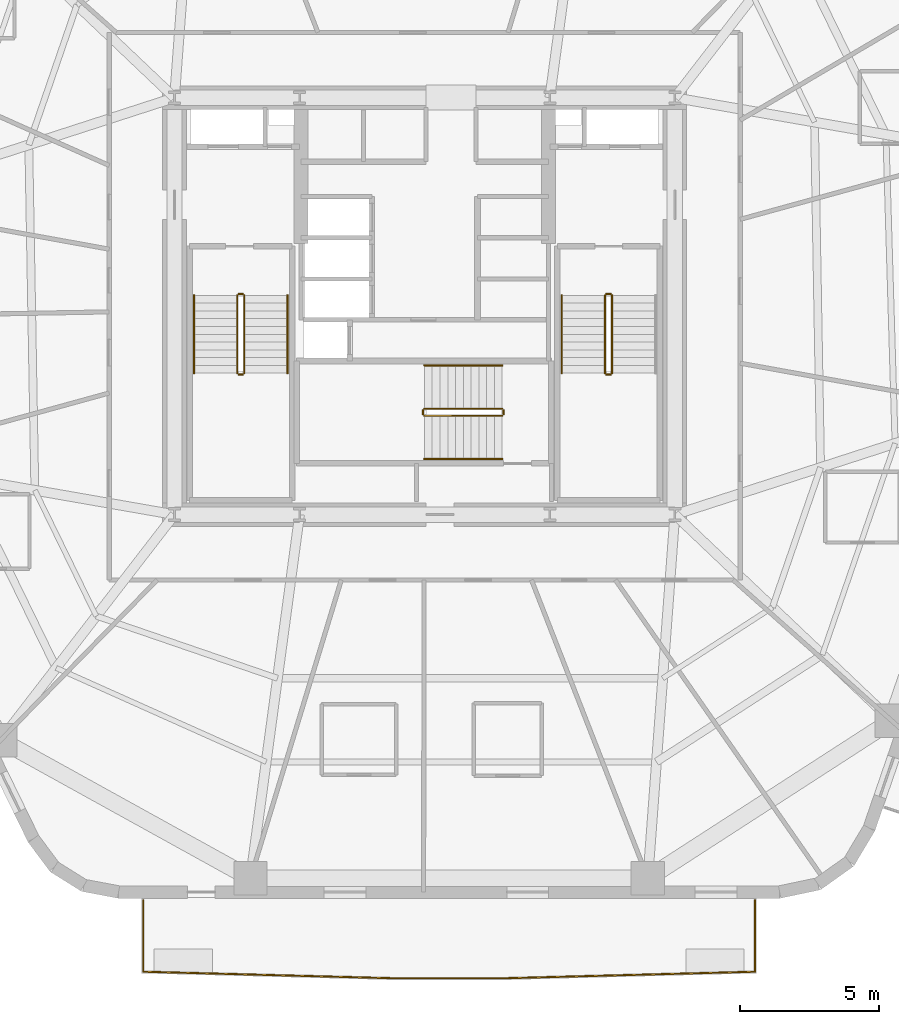
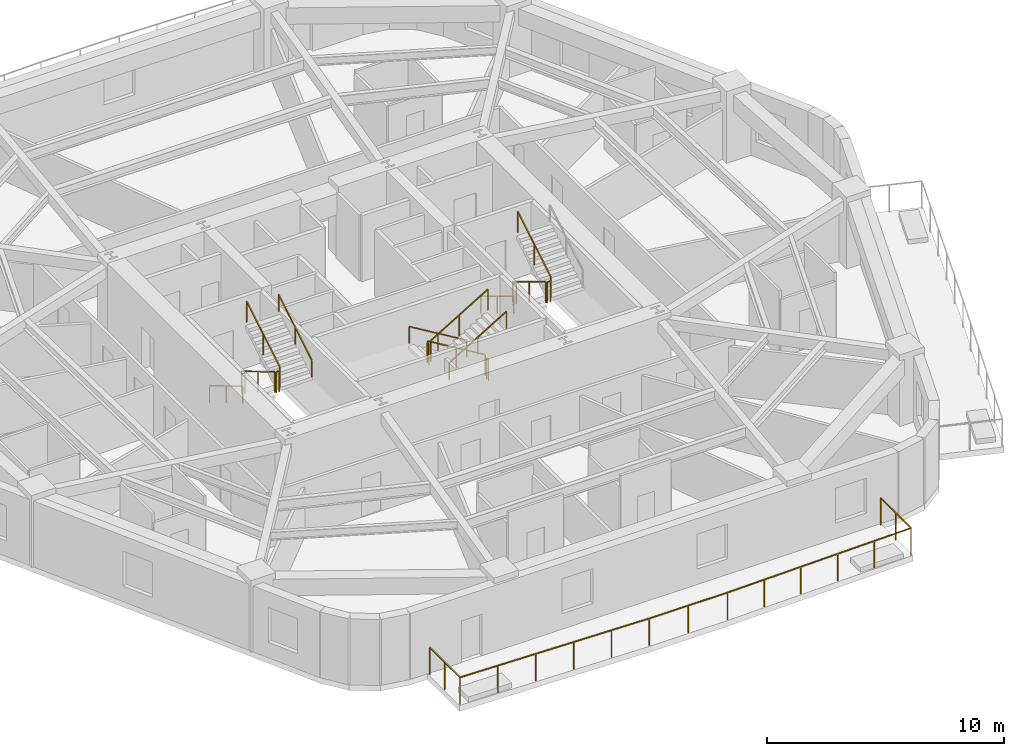
# One storey, part 7 of 8: 18 railings.
"""IFC4 building model written with IfcOpenShell, lengths in metres."""

from ifc_helpers import new_model, si_unit, direction, frame, origin, origin_2d, place, context, subcontext, project, spatial, rectangle, extrude, material, layer, layer_set, type_object, element, save


model = new_model("IFC4")

# Units and contexts
model_context = context("Model", 3, precision=1e-05, world=origin(), true_north=direction((0.0, 1.0)))
body_context = subcontext(model_context, "Body", "Model", "MODEL_VIEW")
ifc_project = project(units=[si_unit("LENGTHUNIT", "METRE"), si_unit("AREAUNIT", "SQUARE_METRE"), si_unit("VOLUMEUNIT", "CUBIC_METRE"), si_unit("PLANEANGLEUNIT", "RADIAN"), si_unit("MASSUNIT", "GRAM", prefix="KILO")], contexts=[model_context])

# Site, building, storey
site_placement = place(None, origin())
site = spatial("IfcSite", under=ifc_project, at=site_placement, CompositionType="ELEMENT")
building_placement = place(site_placement, origin())
building = spatial("IfcBuilding", under=site, at=building_placement, Name="Kilnhurst Terrace Hotel", CompositionType="ELEMENT")
storey_placement = place(building_placement, frame((0.0, 0.0, 106.199951171875)))
storey = spatial("IfcBuildingStorey", under=building, at=storey_placement, Name="L25", CompositionType="ELEMENT", Elevation=106.199951171875)

# Railings
ifc_material_1 = material(Name="Laminated SentryGlas and Stainless Steel AISI 316L Balustrade", Category="steel")
ifc_layer_1 = layer(ifc_material_1, 0.070068359375, Name="Laminated SentryGlas and Stainless Steel AISI 316L Balustrade")
ifc_layer_set_1 = layer_set([ifc_layer_1], Name="Laminated SentryGlas and Stainless Steel AISI 316L Balustrade")
railing_type_1 = type_object("IfcRailingType", Name="RLG-BAL-1420", PredefinedType="BALUSTRADE", material=ifc_layer_set_1)
railing_1_placement = place(storey_placement, frame((11.8837890625, -21.3798828125, 0.0)))
element("IfcRailing", 1, at=railing_1_placement, inside=storey, type_object=railing_type_1, Name="L25 Exterior Terrace Guardrail BAL-L1A.1", PredefinedType="BALUSTRADE", context=body_context, shape_type="SweptSolid", body=[
    extrude(rectangle(XDim=0.048095703125, YDim=0.048095703125, at=origin_2d()), frame((0.0, 0.0, 1.39599609375), z_axis=(0.0, -1.0, 0.0), x_axis=(1.0, 0.0, 0.0)), (0.0, 0.0, 1.0), 2.561767578125),
    extrude(rectangle(XDim=0.048095703125, YDim=0.048095703125, at=origin_2d()), frame((0.0, -2.561767578125, 1.39599609375), z_axis=(-0.999657105501, -0.026185328367, 0.0), x_axis=(0.026185328367, -0.999657105501, 0.0)), (0.0, 0.0, 1.0), 9.099853515625),
    extrude(rectangle(XDim=0.048095703125, YDim=0.048095703125, at=origin_2d()), frame((-9.0966796875, -2.800048828125, 1.39599609375), z_axis=(-1.0, 0.0, 0.0), x_axis=(0.0, -1.0, 0.0)), (0.0, 0.0, 1.0), 3.8134765625),
    extrude(rectangle(XDim=0.048095703125, YDim=0.048095703125, at=origin_2d()), frame((-12.91015625, -2.800048828125, 1.39599609375), z_axis=(-0.999657105501, 0.026185328367, 0.0), x_axis=(-0.026185328367, -0.999657105501, 0.0)), (0.0, 0.0, 1.0), 9.099853515625),
    extrude(rectangle(XDim=0.048095703125, YDim=0.048095703125, at=origin_2d()), frame((-22.0068359375, -2.561767578125, 1.39599609375), z_axis=(0.0, 1.0, 0.0), x_axis=(-1.0, 0.0, 0.0)), (0.0, 0.0, 1.0), 2.561767578125),
    extrude(rectangle(XDim=0.0419921875, YDim=0.0419921875, at=origin_2d()), origin(), (0.0, 0.0, 1.0), 1.371826171875),
    extrude(rectangle(XDim=0.0419921875, YDim=0.0419921875, at=origin_2d()), frame((0.0, -1.28076171875, 0.0)), (0.0, 0.0, 1.0), 1.371826171875),
    extrude(rectangle(XDim=0.0419921875, YDim=0.0419921875, at=origin_2d()), frame((0.0, -2.561767578125, 0.0)), (0.0, 0.0, 1.0), 1.371826171875),
    extrude(rectangle(XDim=0.0419921875, YDim=0.0419921875, at=origin_2d()), frame((-1.8193359375, -2.609375, 0.0)), (0.0, 0.0, 1.0), 1.371826171875),
    extrude(rectangle(XDim=0.0419921875, YDim=0.0419921875, at=origin_2d()), frame((-3.638671875, -2.656982421875, 0.0)), (0.0, 0.0, 1.0), 1.371826171875),
    extrude(rectangle(XDim=0.0419921875, YDim=0.0419921875, at=origin_2d()), frame((-5.4580078125, -2.704833984375, 0.0)), (0.0, 0.0, 1.0), 1.371826171875),
    extrude(rectangle(XDim=0.0419921875, YDim=0.0419921875, at=origin_2d()), frame((-7.27734375, -2.75244140625, 0.0)), (0.0, 0.0, 1.0), 1.371826171875),
    extrude(rectangle(XDim=0.0419921875, YDim=0.0419921875, at=origin_2d()), frame((-9.0966796875, -2.800048828125, 0.0)), (0.0, 0.0, 1.0), 1.371826171875),
    extrude(rectangle(XDim=0.0419921875, YDim=0.0419921875, at=origin_2d()), frame((-11.00341796875, -2.800048828125, 0.0)), (0.0, 0.0, 1.0), 1.371826171875),
    extrude(rectangle(XDim=0.0419921875, YDim=0.0419921875, at=origin_2d()), frame((-12.91015625, -2.800048828125, 0.0)), (0.0, 0.0, 1.0), 1.371826171875),
    extrude(rectangle(XDim=0.0419921875, YDim=0.0419921875, at=origin_2d()), frame((-14.7294921875, -2.75244140625, 0.0)), (0.0, 0.0, 1.0), 1.371826171875),
    extrude(rectangle(XDim=0.0419921875, YDim=0.0419921875, at=origin_2d()), frame((-16.548828125, -2.704833984375, 0.0)), (0.0, 0.0, 1.0), 1.371826171875),
    extrude(rectangle(XDim=0.0419921875, YDim=0.0419921875, at=origin_2d()), frame((-18.3681640625, -2.656982421875, 0.0)), (0.0, 0.0, 1.0), 1.371826171875),
    extrude(rectangle(XDim=0.0419921875, YDim=0.0419921875, at=origin_2d()), frame((-20.1875, -2.609375, 0.0)), (0.0, 0.0, 1.0), 1.371826171875),
    extrude(rectangle(XDim=0.0419921875, YDim=0.0419921875, at=origin_2d()), frame((-22.0068359375, -2.561767578125, 0.0)), (0.0, 0.0, 1.0), 1.371826171875),
    extrude(rectangle(XDim=0.0419921875, YDim=0.0419921875, at=origin_2d()), frame((-22.0068359375, -1.28076171875, 0.0)), (0.0, 0.0, 1.0), 1.371826171875),
    extrude(rectangle(XDim=0.0419921875, YDim=0.0419921875, at=origin_2d()), frame((-22.0068359375, 0.0, 0.0)), (0.0, 0.0, 1.0), 1.371826171875),
])
ifc_material_2 = material(Name="Powder-Coated Steel ASTM A500 Grade B", Category="steel")
ifc_layer_2 = layer(ifc_material_2, 0.050048828125, Name="Powder-Coated Steel ASTM A500 Grade B")
ifc_layer_set_2 = layer_set([ifc_layer_2], Name="Powder-Coated Steel ASTM A500 Grade B")
railing_type_2 = type_object("IfcRailingType", Name="RLG-ST-GRD-1100", PredefinedType="GUARDRAIL", material=ifc_layer_set_2)
railing_2_placement = place(storey_placement, frame((-6.739990234375, 0.389892578125, 0.168212890625)))
element("IfcRailing", 2, at=railing_2_placement, inside=storey, type_object=railing_type_2, Name="L25 ST-1 stair guard 1", PredefinedType="GUARDRAIL", context=body_context, shape_type="SweptSolid", body=[
    extrude(rectangle(XDim=0.048095703125, YDim=0.048095703125, at=origin_2d()), frame((0.0, 0.0, 1.076171875), z_axis=(0.0, -0.857222391501, 0.514946377315), x_axis=(1.0, 0.0, 0.0)), (0.0, 0.0, 1.0), 3.26611328125),
    extrude(rectangle(XDim=0.0419921875, YDim=0.0419921875, at=origin_2d()), origin(), (0.0, 0.0, 1.0), 1.052001953125),
    extrude(rectangle(XDim=0.0419921875, YDim=0.0419921875, at=origin_2d()), frame((0.0, -1.39990234375, 0.8408203125)), (0.0, 0.0, 1.0), 1.052001953125),
    extrude(rectangle(XDim=0.0419921875, YDim=0.0419921875, at=origin_2d()), frame((0.0, -2.7998046875, 1.681884765625)), (0.0, 0.0, 1.0), 1.052001953125),
])
railing_3_placement = place(storey_placement, frame((-6.68994140625, -2.4599609375, 1.85009765625)))
element("IfcRailing", 3, at=railing_3_placement, inside=storey, type_object=railing_type_2, Name="L25 ST-1 stair guard 2", PredefinedType="GUARDRAIL", context=body_context, shape_type="SweptSolid", body=[
    extrude(rectangle(XDim=0.048095703125, YDim=0.048095703125, at=origin_2d()), frame((0.0, 0.0, 1.076171875), z_axis=(1.0, 0.0, 0.0), x_axis=(0.0, 1.0, 0.0)), (0.0, 0.0, 1.0), 0.14990234375),
    extrude(rectangle(XDim=0.0419921875, YDim=0.0419921875, at=origin_2d()), origin(), (0.0, 0.0, 1.0), 1.052001953125),
    extrude(rectangle(XDim=0.0419921875, YDim=0.0419921875, at=origin_2d()), frame((0.14990234375, 0.0, 0.0)), (0.0, 0.0, 1.0), 1.052001953125),
])
railing_4_placement = place(storey_placement, frame((-6.489990234375, -2.409912109375, 2.018310546875)))
element("IfcRailing", 4, at=railing_4_placement, inside=storey, type_object=railing_type_2, Name="L25 ST-1 stair guard 3", PredefinedType="GUARDRAIL", context=body_context, shape_type="SweptSolid", body=[
    extrude(rectangle(XDim=0.048095703125, YDim=0.048095703125, at=origin_2d()), frame((0.0, 0.0, 1.076171875), z_axis=(0.0, 0.857255387014, 0.514891446264), x_axis=(-1.0, 0.0, 0.0)), (0.0, 0.0, 1.0), 3.26611328125),
    extrude(rectangle(XDim=0.0419921875, YDim=0.0419921875, at=origin_2d()), origin(), (0.0, 0.0, 1.0), 1.052001953125),
    extrude(rectangle(XDim=0.0419921875, YDim=0.0419921875, at=origin_2d()), frame((0.0, 1.39990234375, 0.8408203125)), (0.0, 0.0, 1.0), 1.052001953125),
    extrude(rectangle(XDim=0.0419921875, YDim=0.0419921875, at=origin_2d()), frame((0.0, 2.7998046875, 1.681640625)), (0.0, 0.0, 1.0), 1.052001953125),
])
railing_5_placement = place(storey_placement, frame((-6.68994140625, 0.43994140625, 0.0)))
element("IfcRailing", 5, at=railing_5_placement, inside=storey, type_object=railing_type_2, Name="L25 ST-1 stair guard 4", PredefinedType="GUARDRAIL", context=body_context, shape_type="SweptSolid", body=[
    extrude(rectangle(XDim=0.048095703125, YDim=0.048095703125, at=origin_2d()), frame((0.0, 0.0, 1.076171875), z_axis=(1.0, 0.0, 0.0), x_axis=(0.0, 1.0, 0.0)), (0.0, 0.0, 1.0), 0.14990234375),
    extrude(rectangle(XDim=0.0419921875, YDim=0.0419921875, at=origin_2d()), origin(), (0.0, 0.0, 1.0), 1.052001953125),
    extrude(rectangle(XDim=0.0419921875, YDim=0.0419921875, at=origin_2d()), frame((0.14990234375, 0.0, 0.0)), (0.0, 0.0, 1.0), 1.052001953125),
])
railing_6_placement = place(storey_placement, frame((6.489990234375, 0.389892578125, 0.168212890625)))
element("IfcRailing", 6, at=railing_6_placement, inside=storey, type_object=railing_type_2, Name="L25 ST-2 stair guard 1", PredefinedType="GUARDRAIL", context=body_context, shape_type="SweptSolid", body=[
    extrude(rectangle(XDim=0.048095703125, YDim=0.048095703125, at=origin_2d()), frame((0.0, 0.0, 1.076171875), z_axis=(0.0, -0.857222391501, 0.514946377315), x_axis=(1.0, 0.0, 0.0)), (0.0, 0.0, 1.0), 3.26611328125),
    extrude(rectangle(XDim=0.0419921875, YDim=0.0419921875, at=origin_2d()), origin(), (0.0, 0.0, 1.0), 1.052001953125),
    extrude(rectangle(XDim=0.0419921875, YDim=0.0419921875, at=origin_2d()), frame((0.0, -1.39990234375, 0.8408203125)), (0.0, 0.0, 1.0), 1.052001953125),
    extrude(rectangle(XDim=0.0419921875, YDim=0.0419921875, at=origin_2d()), frame((0.0, -2.7998046875, 1.681884765625)), (0.0, 0.0, 1.0), 1.052001953125),
])
railing_7_placement = place(storey_placement, frame((6.5400390625, -2.4599609375, 1.85009765625)))
element("IfcRailing", 7, at=railing_7_placement, inside=storey, type_object=railing_type_2, Name="L25 ST-2 stair guard 2", PredefinedType="GUARDRAIL", context=body_context, shape_type="SweptSolid", body=[
    extrude(rectangle(XDim=0.048095703125, YDim=0.048095703125, at=origin_2d()), frame((0.0, 0.0, 1.076171875), z_axis=(1.0, 0.0, 0.0), x_axis=(0.0, 1.0, 0.0)), (0.0, 0.0, 1.0), 0.14990234375),
    extrude(rectangle(XDim=0.0419921875, YDim=0.0419921875, at=origin_2d()), origin(), (0.0, 0.0, 1.0), 1.052001953125),
    extrude(rectangle(XDim=0.0419921875, YDim=0.0419921875, at=origin_2d()), frame((0.14990234375, 0.0, 0.0)), (0.0, 0.0, 1.0), 1.052001953125),
])
railing_8_placement = place(storey_placement, frame((6.739990234375, -2.409912109375, 2.018310546875)))
element("IfcRailing", 8, at=railing_8_placement, inside=storey, type_object=railing_type_2, Name="L25 ST-2 stair guard 3", PredefinedType="GUARDRAIL", context=body_context, shape_type="SweptSolid", body=[
    extrude(rectangle(XDim=0.048095703125, YDim=0.048095703125, at=origin_2d()), frame((0.0, 0.0, 1.076171875), z_axis=(0.0, 0.857255387014, 0.514891446264), x_axis=(-1.0, 0.0, 0.0)), (0.0, 0.0, 1.0), 3.26611328125),
    extrude(rectangle(XDim=0.0419921875, YDim=0.0419921875, at=origin_2d()), origin(), (0.0, 0.0, 1.0), 1.052001953125),
    extrude(rectangle(XDim=0.0419921875, YDim=0.0419921875, at=origin_2d()), frame((0.0, 1.39990234375, 0.8408203125)), (0.0, 0.0, 1.0), 1.052001953125),
    extrude(rectangle(XDim=0.0419921875, YDim=0.0419921875, at=origin_2d()), frame((0.0, 2.7998046875, 1.681640625)), (0.0, 0.0, 1.0), 1.052001953125),
])
railing_9_placement = place(storey_placement, frame((6.5400390625, 0.43994140625, 0.0)))
element("IfcRailing", 9, at=railing_9_placement, inside=storey, type_object=railing_type_2, Name="L25 ST-2 stair guard 4", PredefinedType="GUARDRAIL", context=body_context, shape_type="SweptSolid", body=[
    extrude(rectangle(XDim=0.048095703125, YDim=0.048095703125, at=origin_2d()), frame((0.0, 0.0, 1.076171875), z_axis=(1.0, 0.0, 0.0), x_axis=(0.0, 1.0, 0.0)), (0.0, 0.0, 1.0), 0.14990234375),
    extrude(rectangle(XDim=0.0419921875, YDim=0.0419921875, at=origin_2d()), origin(), (0.0, 0.0, 1.0), 1.052001953125),
    extrude(rectangle(XDim=0.0419921875, YDim=0.0419921875, at=origin_2d()), frame((0.14990234375, 0.0, 0.0)), (0.0, 0.0, 1.0), 1.052001953125),
])
railing_10_placement = place(storey_placement, frame((2.7900390625, -3.68994140625, 0.168212890625)))
element("IfcRailing", 10, at=railing_10_placement, inside=storey, type_object=railing_type_2, Name="L25 ST-3 stair guard 1", PredefinedType="GUARDRAIL", context=body_context, shape_type="SweptSolid", body=[
    extrude(rectangle(XDim=0.048095703125, YDim=0.048095703125, at=origin_2d()), frame((0.0, 0.0, 1.076171875), z_axis=(-0.857242210791, 0.0, 0.514913383045), x_axis=(0.0, -1.0, 0.0)), (0.0, 0.0, 1.0), 3.266357421875),
    extrude(rectangle(XDim=0.0419921875, YDim=0.0419921875, at=origin_2d()), origin(), (0.0, 0.0, 1.0), 1.052001953125),
    extrude(rectangle(XDim=0.0419921875, YDim=0.0419921875, at=origin_2d()), frame((-1.39990234375, 0.0, 0.8408203125)), (0.0, 0.0, 1.0), 1.052001953125),
    extrude(rectangle(XDim=0.0419921875, YDim=0.0419921875, at=origin_2d()), frame((-2.800048828125, 0.0, 1.681884765625)), (0.0, 0.0, 1.0), 1.052001953125),
])
railing_11_placement = place(storey_placement, frame((-0.06005859375, -3.739990234375, 1.85009765625)))
element("IfcRailing", 11, at=railing_11_placement, inside=storey, type_object=railing_type_2, Name="L25 ST-3 stair guard 2", PredefinedType="GUARDRAIL", context=body_context, shape_type="SweptSolid", body=[
    extrude(rectangle(XDim=0.048095703125, YDim=0.048095703125, at=origin_2d()), frame((0.0, 0.0, 1.076171875), z_axis=(0.0, -1.0, 0.0), x_axis=(1.0, 0.0, 0.0)), (0.0, 0.0, 1.0), 0.14990234375),
    extrude(rectangle(XDim=0.0419921875, YDim=0.0419921875, at=origin_2d()), origin(), (0.0, 0.0, 1.0), 1.052001953125),
    extrude(rectangle(XDim=0.0419921875, YDim=0.0419921875, at=origin_2d()), frame((0.0, -0.14990234375, 0.0)), (0.0, 0.0, 1.0), 1.052001953125),
])
railing_12_placement = place(storey_placement, frame((-0.010009765625, -3.93994140625, 2.018310546875)))
element("IfcRailing", 12, at=railing_12_placement, inside=storey, type_object=railing_type_2, Name="L25 ST-3 stair guard 3", PredefinedType="GUARDRAIL", context=body_context, shape_type="SweptSolid", body=[
    extrude(rectangle(XDim=0.048095703125, YDim=0.048095703125, at=origin_2d()), frame((0.0, 0.0, 1.076171875), z_axis=(0.857275202839, 0.0, 0.514858452973), x_axis=(0.0, 1.0, 0.0)), (0.0, 0.0, 1.0), 3.26611328125),
    extrude(rectangle(XDim=0.0419921875, YDim=0.0419921875, at=origin_2d()), origin(), (0.0, 0.0, 1.0), 1.052001953125),
    extrude(rectangle(XDim=0.0419921875, YDim=0.0419921875, at=origin_2d()), frame((1.39990234375, 0.0, 0.8408203125)), (0.0, 0.0, 1.0), 1.052001953125),
    extrude(rectangle(XDim=0.0419921875, YDim=0.0419921875, at=origin_2d()), frame((2.800048828125, 0.0, 1.681640625)), (0.0, 0.0, 1.0), 1.052001953125),
])
railing_13_placement = place(storey_placement, frame((2.840087890625, -3.739990234375, 0.0)))
element("IfcRailing", 13, at=railing_13_placement, inside=storey, type_object=railing_type_2, Name="L25 ST-3 stair guard 4", PredefinedType="GUARDRAIL", context=body_context, shape_type="SweptSolid", body=[
    extrude(rectangle(XDim=0.048095703125, YDim=0.048095703125, at=origin_2d()), frame((0.0, 0.0, 1.076171875), z_axis=(0.0, -1.0, 0.0), x_axis=(1.0, 0.0, 0.0)), (0.0, 0.0, 1.0), 0.14990234375),
    extrude(rectangle(XDim=0.0419921875, YDim=0.0419921875, at=origin_2d()), origin(), (0.0, 0.0, 1.0), 1.052001953125),
    extrude(rectangle(XDim=0.0419921875, YDim=0.0419921875, at=origin_2d()), frame((0.0, -0.14990234375, 0.0)), (0.0, 0.0, 1.0), 1.052001953125),
])
ifc_material_3 = material(Name="Brushed Stainless Steel AISI 304", Category="steel")
ifc_layer_3 = layer(ifc_material_3, 0.048095703125, Name="Brushed Stainless Steel AISI 304")
ifc_layer_set_3 = layer_set([ifc_layer_3], Name="Brushed Stainless Steel AISI 304")
railing_type_3 = type_object("IfcRailingType", Name="RLG-ST-HRL-900", PredefinedType="HANDRAIL", material=ifc_layer_set_3)
railing_14_placement = place(storey_placement, frame((-8.300048828125, 0.389892578125, 0.168212890625)))
element("IfcRailing", 14, at=railing_14_placement, inside=storey, type_object=railing_type_3, Name="L25 ST-1 stair handrail 1", PredefinedType="HANDRAIL", context=body_context, shape_type="SweptSolid", body=[
    extrude(rectangle(XDim=0.048095703125, YDim=0.048095703125, at=origin_2d()), frame((0.0, 0.0, 0.8759765625), z_axis=(0.0, -0.857222391501, 0.514946377315), x_axis=(1.0, 0.0, 0.0)), (0.0, 0.0, 1.0), 3.26611328125),
    extrude(rectangle(XDim=0.0419921875, YDim=0.0419921875, at=origin_2d()), origin(), (0.0, 0.0, 1.0), 0.851806640625),
    extrude(rectangle(XDim=0.0419921875, YDim=0.0419921875, at=origin_2d()), frame((0.0, -1.39990234375, 0.8408203125)), (0.0, 0.0, 1.0), 0.851806640625),
    extrude(rectangle(XDim=0.0419921875, YDim=0.0419921875, at=origin_2d()), frame((0.0, -2.7998046875, 1.681884765625)), (0.0, 0.0, 1.0), 0.851806640625),
])
railing_15_placement = place(storey_placement, frame((-4.929931640625, -2.409912109375, 2.018310546875)))
element("IfcRailing", 15, at=railing_15_placement, inside=storey, type_object=railing_type_3, Name="L25 ST-1 stair handrail 2", PredefinedType="HANDRAIL", context=body_context, shape_type="SweptSolid", body=[
    extrude(rectangle(XDim=0.048095703125, YDim=0.048095703125, at=origin_2d()), frame((0.0, 0.0, 0.8759765625), z_axis=(0.0, 0.857255387014, 0.514891446264), x_axis=(-1.0, 0.0, 0.0)), (0.0, 0.0, 1.0), 3.26611328125),
    extrude(rectangle(XDim=0.0419921875, YDim=0.0419921875, at=origin_2d()), origin(), (0.0, 0.0, 1.0), 0.851806640625),
    extrude(rectangle(XDim=0.0419921875, YDim=0.0419921875, at=origin_2d()), frame((0.0, 1.39990234375, 0.8408203125)), (0.0, 0.0, 1.0), 0.851806640625),
    extrude(rectangle(XDim=0.0419921875, YDim=0.0419921875, at=origin_2d()), frame((0.0, 2.7998046875, 1.681640625)), (0.0, 0.0, 1.0), 0.851806640625),
])
railing_16_placement = place(storey_placement, frame((4.929931640625, 0.389892578125, 0.168212890625)))
element("IfcRailing", 16, at=railing_16_placement, inside=storey, type_object=railing_type_3, Name="L25 ST-2 stair handrail 1", PredefinedType="HANDRAIL", context=body_context, shape_type="SweptSolid", body=[
    extrude(rectangle(XDim=0.048095703125, YDim=0.048095703125, at=origin_2d()), frame((0.0, 0.0, 0.8759765625), z_axis=(0.0, -0.857222391501, 0.514946377315), x_axis=(1.0, 0.0, 0.0)), (0.0, 0.0, 1.0), 3.26611328125),
    extrude(rectangle(XDim=0.0419921875, YDim=0.0419921875, at=origin_2d()), origin(), (0.0, 0.0, 1.0), 0.851806640625),
    extrude(rectangle(XDim=0.0419921875, YDim=0.0419921875, at=origin_2d()), frame((0.0, -1.39990234375, 0.8408203125)), (0.0, 0.0, 1.0), 0.851806640625),
    extrude(rectangle(XDim=0.0419921875, YDim=0.0419921875, at=origin_2d()), frame((0.0, -2.7998046875, 1.681884765625)), (0.0, 0.0, 1.0), 0.851806640625),
])
railing_17_placement = place(storey_placement, frame((2.7900390625, -2.1298828125, 0.168212890625)))
element("IfcRailing", 17, at=railing_17_placement, inside=storey, type_object=railing_type_3, Name="L25 ST-3 stair handrail 1", PredefinedType="HANDRAIL", context=body_context, shape_type="SweptSolid", body=[
    extrude(rectangle(XDim=0.048095703125, YDim=0.048095703125, at=origin_2d()), frame((0.0, 0.0, 0.8759765625), z_axis=(-0.857242210791, 0.0, 0.514913383045), x_axis=(0.0, -1.0, 0.0)), (0.0, 0.0, 1.0), 3.266357421875),
    extrude(rectangle(XDim=0.0419921875, YDim=0.0419921875, at=origin_2d()), origin(), (0.0, 0.0, 1.0), 0.851806640625),
    extrude(rectangle(XDim=0.0419921875, YDim=0.0419921875, at=origin_2d()), frame((-1.39990234375, 0.0, 0.8408203125)), (0.0, 0.0, 1.0), 0.851806640625),
    extrude(rectangle(XDim=0.0419921875, YDim=0.0419921875, at=origin_2d()), frame((-2.800048828125, 0.0, 1.681884765625)), (0.0, 0.0, 1.0), 0.851806640625),
])
railing_18_placement = place(storey_placement, frame((-0.010009765625, -5.5, 2.018310546875)))
element("IfcRailing", 18, at=railing_18_placement, inside=storey, type_object=railing_type_3, Name="L25 ST-3 stair handrail 2", PredefinedType="HANDRAIL", context=body_context, shape_type="SweptSolid", body=[
    extrude(rectangle(XDim=0.048095703125, YDim=0.048095703125, at=origin_2d()), frame((0.0, 0.0, 0.8759765625), z_axis=(0.857275202839, 0.0, 0.514858452973), x_axis=(0.0, 1.0, 0.0)), (0.0, 0.0, 1.0), 3.26611328125),
    extrude(rectangle(XDim=0.0419921875, YDim=0.0419921875, at=origin_2d()), origin(), (0.0, 0.0, 1.0), 0.851806640625),
    extrude(rectangle(XDim=0.0419921875, YDim=0.0419921875, at=origin_2d()), frame((1.39990234375, 0.0, 0.8408203125)), (0.0, 0.0, 1.0), 0.851806640625),
    extrude(rectangle(XDim=0.0419921875, YDim=0.0419921875, at=origin_2d()), frame((2.800048828125, 0.0, 1.681640625)), (0.0, 0.0, 1.0), 0.851806640625),
])

save(model, "model.ifc")
